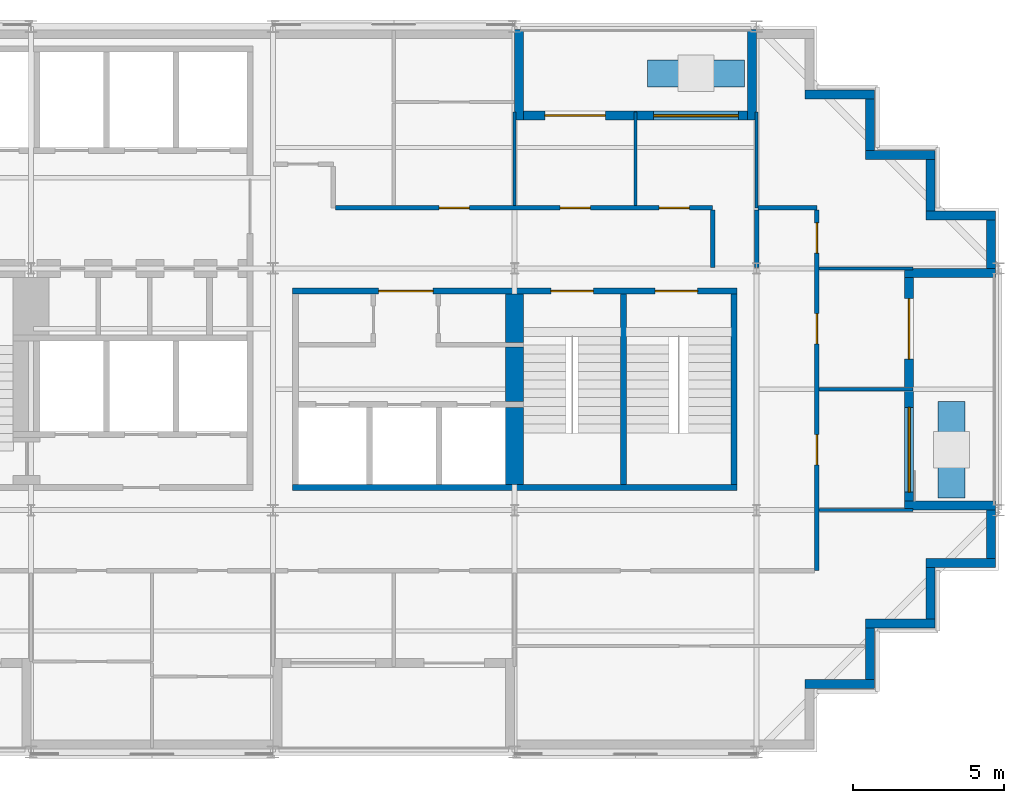
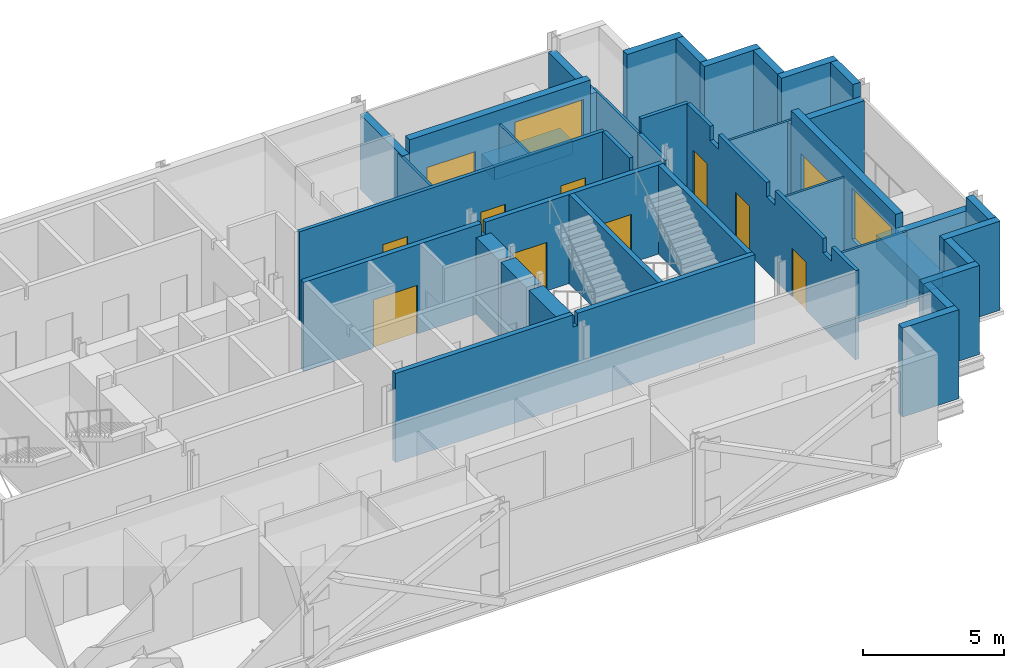
# One storey, part 7 of 10: 38 walls, 11 doors, 2 windows, 13 openings.
"""IFC4 building model written with IfcOpenShell, lengths in metres."""

from ifc_helpers import new_model, si_unit, direction, frame, frame_2d, origin, place, context, subcontext, project, spatial, polyline, rectangle, outline, extrude, material, layer, layer_set, type_object, element, fill, save


model = new_model("IFC4")

# Units and contexts
model_context = context("Model", 3, precision=1e-05, world=origin(), true_north=direction((0.0, 1.0)))
body_context = subcontext(model_context, "Body", "Model", "MODEL_VIEW")
ifc_project = project(units=[si_unit("LENGTHUNIT", "METRE"), si_unit("AREAUNIT", "SQUARE_METRE"), si_unit("VOLUMEUNIT", "CUBIC_METRE"), si_unit("PLANEANGLEUNIT", "RADIAN"), si_unit("MASSUNIT", "GRAM", prefix="KILO")], contexts=[model_context])

# Site, building, storey
site_placement = place(None, origin())
site = spatial("IfcSite", under=ifc_project, at=site_placement, CompositionType="ELEMENT")
building_placement = place(site_placement, origin())
building = spatial("IfcBuilding", under=site, at=building_placement, Name="Immortelle Media Tower", CompositionType="ELEMENT")
storey_placement = place(building_placement, frame((0.0, 0.0, 279.0)))
storey = spatial("IfcBuildingStorey", under=building, at=storey_placement, Name="L61", CompositionType="ELEMENT", Elevation=279.0)

# Wall, openings, doors
ifc_material_1 = material(Name="Fire-rated gypsum board", Category="gypsum")
ifc_layer_1 = layer(ifc_material_1, 0.012451171875)
ifc_material_2 = material(Name="Steel ASTM A653 SS Gr 50 stud frame with mineral wool", Category="steel")
ifc_layer_2 = layer(ifc_material_2, 0.125)
ifc_layer_3 = layer(ifc_material_1, 0.012451171875)
ifc_layer_set_1 = layer_set([ifc_layer_1, ifc_layer_2, ifc_layer_3], Name="Steel ASTM A653 SS Gr 50 stud frame with mineral wool")
wall_type_1 = type_object("IfcWallType", Name="Corridor wall 150", PredefinedType="PARTITIONING", material=ifc_layer_set_1)
wall_1_placement = place(storey_placement, frame((42.0, 6.0, 0.0), z_axis=(0.0, 0.0, 1.0), x_axis=(0.0, 1.0, 0.0)))
wall_1 = element("IfcWall", 1, at=wall_1_placement, inside=storey, type_object=wall_type_1, Name="Partition L61-016", PredefinedType="PARTITIONING", context=body_context, shape_type="SweptSolid", body=[
    extrude(outline(polyline([(0.0, 0.0), (11.925048828125, 0.0), (11.925048828125, 3.85009765625), (10.300048828125, 3.85009765625), (10.298095703125, 3.238037109375), (9.701904296875, 3.238037109375), (9.699951171875, 3.85009765625), (6.300048828125, 3.85009765625), (6.298095703125, 3.238037109375), (5.701904296875, 3.238037109375), (5.699951171875, 3.85009765625), (2.300048828125, 3.85009765625), (2.298095703125, 3.238037109375), (1.701904296875, 3.238037109375), (1.699951171875, 3.85009765625), (0.0, 3.85009765625), (0.0, 0.0)])), frame((0.0, 0.074951171875, 0.0), z_axis=(0.0, -1.0, 0.0), x_axis=(1.0, 0.0, 0.0)), (0.0, 0.0, 1.0), 0.14990234375),
])
opening_1_placement = place(wall_1_placement, frame((4.5, 0.0, 0.0), z_axis=(0.0, 0.0, 1.0), x_axis=(-1.0, 0.0, 0.0)))
opening_1 = element("IfcOpeningElement", 2, at=opening_1_placement, cuts=wall_1, Name="Opening X4-F014", PredefinedType="OPENING", context=body_context, shape_type="SweptSolid", body=[
    extrude(rectangle(XDim=1.0, YDim=2.10009765625, at=frame_2d((0.5, 1.050048828125))), frame((0.0, 0.0849609375, 0.0), z_axis=(0.0, -1.0, 0.0), x_axis=(1.0, 0.0, 0.0)), (0.0, 0.0, 1.0), 0.169921875),
])
opening_2_placement = place(wall_1_placement, frame((8.5, 0.0, 0.0), z_axis=(0.0, 0.0, 1.0), x_axis=(-1.0, 0.0, 0.0)))
opening_2 = element("IfcOpeningElement", 3, at=opening_2_placement, cuts=wall_1, Name="Opening X4-F015", PredefinedType="OPENING", context=body_context, shape_type="SweptSolid", body=[
    extrude(rectangle(XDim=1.0, YDim=2.10009765625, at=frame_2d((0.5, 1.050048828125))), frame((0.0, 0.0849609375, 0.0), z_axis=(0.0, -1.0, 0.0), x_axis=(1.0, 0.0, 0.0)), (0.0, 0.0, 1.0), 0.169921875),
])
opening_3_placement = place(wall_1_placement, frame((11.5, 0.0, 0.0), z_axis=(0.0, 0.0, 1.0), x_axis=(-1.0, 0.0, 0.0)))
opening_3 = element("IfcOpeningElement", 4, at=opening_3_placement, cuts=wall_1, Name="Opening X4-F017", PredefinedType="OPENING", context=body_context, shape_type="SweptSolid", body=[
    extrude(rectangle(XDim=1.0, YDim=2.10009765625, at=frame_2d((0.5, 1.050048828125))), frame((0.0, 0.0849609375, 0.0), z_axis=(0.0, -1.0, 0.0), x_axis=(1.0, 0.0, 0.0)), (0.0, 0.0, 1.0), 0.169921875),
])
ifc_material_3 = material(Name="Timber veneered door leaf, galvanised steel frame ASTM A653", Category="steel")
door_type_1 = type_object("IfcDoorType", Name="Room door 1000 x 2100", OperationType="NOTDEFINED", PredefinedType="DOOR", material=ifc_material_3)
door_1_placement = place(opening_1_placement, origin())
door_1 = element("IfcDoor", 5, at=door_1_placement, inside=storey, type_object=door_type_1, Name="Door X4-F014", OperationType="SINGLE_SWING_LEFT", OverallHeight=2.10009765625, OverallWidth=1.0, PredefinedType="DOOR", context=body_context, shape_type="SweptSolid", body=[
    extrude(rectangle(XDim=1.0, YDim=2.10009765625, at=frame_2d((0.5, 1.050048828125))), frame((0.0, 0.02490234375, 0.0), z_axis=(0.0, -1.0, 0.0), x_axis=(1.0, 0.0, 0.0)), (0.0, 0.0, 1.0), 0.050048828125),
])
fill(opening_1, door_1)
door_2_placement = place(opening_2_placement, origin())
door_2 = element("IfcDoor", 6, at=door_2_placement, inside=storey, type_object=door_type_1, Name="Door X4-F015", OperationType="SINGLE_SWING_RIGHT", OverallHeight=2.10009765625, OverallWidth=1.0, PredefinedType="DOOR", context=body_context, shape_type="SweptSolid", body=[
    extrude(rectangle(XDim=1.0, YDim=2.10009765625, at=frame_2d((0.5, 1.050048828125))), frame((0.0, 0.02490234375, 0.0), z_axis=(0.0, -1.0, 0.0), x_axis=(1.0, 0.0, 0.0)), (0.0, 0.0, 1.0), 0.050048828125),
])
fill(opening_2, door_2)
door_3_placement = place(opening_3_placement, origin())
door_3 = element("IfcDoor", 7, at=door_3_placement, inside=storey, type_object=door_type_1, Name="Door X4-F017", OperationType="SINGLE_SWING_RIGHT", OverallHeight=2.10009765625, OverallWidth=1.0, PredefinedType="DOOR", context=body_context, shape_type="SweptSolid", body=[
    extrude(rectangle(XDim=1.0, YDim=2.10009765625, at=frame_2d((0.5, 1.050048828125))), frame((0.0, 0.02490234375, 0.0), z_axis=(0.0, -1.0, 0.0), x_axis=(1.0, 0.0, 0.0)), (0.0, 0.0, 1.0), 0.050048828125),
])
fill(opening_3, door_3)

# Walls
wall_2_placement = place(storey_placement, frame((38.550048828125, 16.030029296875, 0.0), z_axis=(0.0, 0.0, 1.0), x_axis=(0.0, 1.0, 0.0)))
element("IfcWall", 8, at=wall_2_placement, inside=storey, type_object=wall_type_1, Name="Partition L61-023", PredefinedType="PARTITIONING", context=body_context, shape_type="SweptSolid", body=[
    extrude(rectangle(XDim=1.89501953125, YDim=0.14990234375, at=frame_2d((0.947509765625, 0.0))), origin(), (0.0, 0.0, 1.0), 3.85009765625),
])
wall_3_placement = place(storey_placement, frame((40.0, 16.030029296875, 0.0), z_axis=(0.0, 0.0, 1.0), x_axis=(0.0, 1.0, 0.0)))
element("IfcWall", 9, at=wall_3_placement, inside=storey, type_object=wall_type_1, Name="Partition L61-024", PredefinedType="PARTITIONING", context=body_context, shape_type="SweptSolid", body=[
    extrude(rectangle(XDim=1.89501953125, YDim=0.14990234375, at=frame_2d((0.947509765625, 0.0))), origin(), (0.0, 0.0, 1.0), 3.238037109375),
])

# Wall, openings, doors
wall_4_placement = place(storey_placement, frame((26.074951171875, 18.0, 0.0), z_axis=(0.0, 0.0, 1.0), x_axis=(1.0, 0.0, 0.0)))
wall_4 = element("IfcWall", 10, at=wall_4_placement, inside=storey, type_object=wall_type_1, Name="Partition L61-025", PredefinedType="PARTITIONING", context=body_context, shape_type="SweptSolid", body=[
    extrude(rectangle(XDim=12.47509765625, YDim=0.14990234375, at=frame_2d((6.237548828125, 0.0))), origin(), (0.0, 0.0, 1.0), 3.85009765625),
])
opening_4_placement = place(wall_4_placement, frame((7.425048828125, 0.0, 0.0)))
opening_4 = element("IfcOpeningElement", 11, at=opening_4_placement, cuts=wall_4, Name="Opening X4-F018", PredefinedType="OPENING", context=body_context, shape_type="SweptSolid", body=[
    extrude(rectangle(XDim=1.0, YDim=2.10009765625, at=frame_2d((0.5, 1.050048828125))), frame((0.0, 0.0849609375, 0.0), z_axis=(0.0, -1.0, 0.0), x_axis=(1.0, 0.0, 0.0)), (0.0, 0.0, 1.0), 0.169921875),
])
opening_5_placement = place(wall_4_placement, frame((10.699951171875, 0.0, 0.0)))
opening_5 = element("IfcOpeningElement", 12, at=opening_5_placement, cuts=wall_4, Name="Opening X4-F019", PredefinedType="OPENING", context=body_context, shape_type="SweptSolid", body=[
    extrude(rectangle(XDim=1.0, YDim=2.10009765625, at=frame_2d((0.5, 1.050048828125))), frame((0.0, 0.0849609375, 0.0), z_axis=(0.0, -1.0, 0.0), x_axis=(1.0, 0.0, 0.0)), (0.0, 0.0, 1.0), 0.169921875),
])
opening_6_placement = place(wall_4_placement, frame((3.425048828125, 0.0, 0.0)))
opening_6 = element("IfcOpeningElement", 13, at=opening_6_placement, cuts=wall_4, Name="Opening X4-F021", PredefinedType="OPENING", context=body_context, shape_type="SweptSolid", body=[
    extrude(rectangle(XDim=1.0, YDim=2.10009765625, at=frame_2d((0.5, 1.050048828125))), frame((0.0, 0.0849609375, 0.0), z_axis=(0.0, -1.0, 0.0), x_axis=(1.0, 0.0, 0.0)), (0.0, 0.0, 1.0), 0.169921875),
])
door_4_placement = place(opening_4_placement, origin())
door_4 = element("IfcDoor", 14, at=door_4_placement, inside=storey, type_object=door_type_1, Name="Door X4-F018", OperationType="SINGLE_SWING_LEFT", OverallHeight=2.10009765625, OverallWidth=1.0, PredefinedType="DOOR", context=body_context, shape_type="SweptSolid", body=[
    extrude(rectangle(XDim=1.0, YDim=2.10009765625, at=frame_2d((0.5, 1.050048828125))), frame((0.0, 0.02490234375, 0.0), z_axis=(0.0, -1.0, 0.0), x_axis=(1.0, 0.0, 0.0)), (0.0, 0.0, 1.0), 0.050048828125),
])
fill(opening_4, door_4)
door_5_placement = place(opening_5_placement, origin())
door_5 = element("IfcDoor", 15, at=door_5_placement, inside=storey, type_object=door_type_1, Name="Door X4-F019", OperationType="SINGLE_SWING_LEFT", OverallHeight=2.10009765625, OverallWidth=1.0, PredefinedType="DOOR", context=body_context, shape_type="SweptSolid", body=[
    extrude(rectangle(XDim=1.0, YDim=2.10009765625, at=frame_2d((0.5, 1.050048828125))), frame((0.0, 0.02490234375, 0.0), z_axis=(0.0, -1.0, 0.0), x_axis=(1.0, 0.0, 0.0)), (0.0, 0.0, 1.0), 0.050048828125),
])
fill(opening_5, door_5)
door_6_placement = place(opening_6_placement, origin())
door_6 = element("IfcDoor", 16, at=door_6_placement, inside=storey, type_object=door_type_1, Name="Door X4-F021", OperationType="SINGLE_SWING_RIGHT", OverallHeight=2.10009765625, OverallWidth=1.0, PredefinedType="DOOR", context=body_context, shape_type="SweptSolid", body=[
    extrude(rectangle(XDim=1.0, YDim=2.10009765625, at=frame_2d((0.5, 1.050048828125))), frame((0.0, 0.02490234375, 0.0), z_axis=(0.0, -1.0, 0.0), x_axis=(1.0, 0.0, 0.0)), (0.0, 0.0, 1.0), 0.050048828125),
])
fill(opening_6, door_6)

# Walls
wall_5_placement = place(storey_placement, frame((40.050048828125, 18.0, 0.0), z_axis=(0.0, 0.0, 1.0), x_axis=(1.0, 0.0, 0.0)))
element("IfcWall", 17, at=wall_5_placement, inside=storey, type_object=wall_type_1, Name="Partition L61-030", PredefinedType="PARTITIONING", context=body_context, shape_type="SweptSolid", body=[
    extrude(rectangle(XDim=1.949951171875, YDim=0.14990234375, at=frame_2d((0.97509765625, 0.0))), origin(), (0.0, 0.0, 1.0), 3.85009765625),
])
ifc_material_4 = material(Name="Pale aluminium cladding panel", Category="aluminium")
ifc_layer_4 = layer(ifc_material_4, 0.030029296875)
ifc_layer_5 = layer(ifc_material_2, 0.257568359375)
ifc_material_5 = material(Name="Moisture-resistant gypsum board", Category="gypsum")
ifc_layer_6 = layer(ifc_material_5, 0.012451171875)
ifc_layer_set_2 = layer_set([ifc_layer_4, ifc_layer_5, ifc_layer_6], Name="Steel ASTM A653 SS Gr 50 stud frame with mineral wool")
wall_type_2 = type_object("IfcWallType", Name="Facade wall 300", PredefinedType="SOLIDWALL", material=ifc_layer_set_2)
wall_6_placement = place(storey_placement, frame((41.60009765625, 2.25, 0.0), z_axis=(0.0, 0.0, 1.0), x_axis=(1.0, 0.0, 0.0)))
element("IfcWall", 18, at=wall_6_placement, inside=storey, type_object=wall_type_2, Name="Facade wall L61 S8", PredefinedType="SOLIDWALL", context=body_context, shape_type="SweptSolid", body=[
    extrude(rectangle(XDim=2.2998046875, YDim=0.300048828125, at=frame_2d((1.14990234375, 0.0))), origin(), (0.0, 0.0, 1.0), 3.85009765625),
])
wall_7_placement = place(storey_placement, frame((43.75, 2.39990234375, 0.0), z_axis=(0.0, 0.0, 1.0), x_axis=(0.0, 1.0, 0.0)))
element("IfcWall", 19, at=wall_7_placement, inside=storey, type_object=wall_type_2, Name="Facade wall L61 E9", PredefinedType="SOLIDWALL", context=body_context, shape_type="SweptSolid", body=[
    extrude(rectangle(XDim=1.7001953125, YDim=0.300048828125, at=frame_2d((0.85009765625, 0.0))), origin(), (0.0, 0.0, 1.0), 3.85009765625),
])
wall_8_placement = place(storey_placement, frame((43.60009765625, 4.25, 0.0), z_axis=(0.0, 0.0, 1.0), x_axis=(1.0, 0.0, 0.0)))
element("IfcWall", 20, at=wall_8_placement, inside=storey, type_object=wall_type_2, Name="Facade wall L61 S10", PredefinedType="SOLIDWALL", context=body_context, shape_type="SweptSolid", body=[
    extrude(rectangle(XDim=2.2998046875, YDim=0.300048828125, at=frame_2d((1.14990234375, 0.0))), origin(), (0.0, 0.0, 1.0), 3.85009765625),
])
wall_9_placement = place(storey_placement, frame((45.75, 4.39990234375, 0.0), z_axis=(0.0, 0.0, 1.0), x_axis=(0.0, 1.0, 0.0)))
element("IfcWall", 21, at=wall_9_placement, inside=storey, type_object=wall_type_2, Name="Facade wall L61 E11", PredefinedType="SOLIDWALL", context=body_context, shape_type="SweptSolid", body=[
    extrude(rectangle(XDim=1.7001953125, YDim=0.300048828125, at=frame_2d((0.85009765625, 0.0))), origin(), (0.0, 0.0, 1.0), 3.85009765625),
])
wall_10_placement = place(storey_placement, frame((45.60009765625, 6.25, 0.0), z_axis=(0.0, 0.0, 1.0), x_axis=(1.0, 0.0, 0.0)))
element("IfcWall", 22, at=wall_10_placement, inside=storey, type_object=wall_type_2, Name="Facade wall L61 S12", PredefinedType="SOLIDWALL", context=body_context, shape_type="SweptSolid", body=[
    extrude(rectangle(XDim=2.2998046875, YDim=0.300048828125, at=frame_2d((1.14990234375, 0.0))), origin(), (0.0, 0.0, 1.0), 3.85009765625),
])
wall_11_placement = place(storey_placement, frame((47.75, 6.39990234375, 0.0), z_axis=(0.0, 0.0, 1.0), x_axis=(0.0, 1.0, 0.0)))
element("IfcWall", 23, at=wall_11_placement, inside=storey, type_object=wall_type_2, Name="Facade wall L61 E13", PredefinedType="SOLIDWALL", context=body_context, shape_type="SweptSolid", body=[
    extrude(rectangle(XDim=1.60009765625, YDim=0.300048828125, at=frame_2d((0.800048828125, 0.0))), origin(), (0.0, 0.0, 1.0), 3.85009765625),
])

# Wall, openings, door, window
wall_12_placement = place(storey_placement, frame((45.050048828125, 8.300048828125, 0.0), z_axis=(0.0, 0.0, 1.0), x_axis=(0.0, 1.0, 0.0)))
wall_12 = element("IfcWall", 24, at=wall_12_placement, inside=storey, type_object=wall_type_2, Name="Loggia wall L61 E13", PredefinedType="SOLIDWALL", context=body_context, shape_type="SweptSolid", body=[
    extrude(rectangle(XDim=7.39990234375, YDim=0.300048828125, at=frame_2d((3.699951171875, 0.0))), origin(), (0.0, 0.0, 1.0), 3.85009765625),
])
opening_7_placement = place(wall_12_placement, frame((0.300048828125, 0.0, 0.89990234375)))
opening_7 = element("IfcOpeningElement", 25, at=opening_7_placement, cuts=wall_12, Name="Opening W1", PredefinedType="OPENING", context=body_context, shape_type="SweptSolid", body=[
    extrude(rectangle(XDim=2.800048828125, YDim=2.199951171875, at=frame_2d((1.39990234375, 1.10009765625))), frame((0.0, 0.159912109375, 0.0), z_axis=(0.0, -1.0, 0.0), x_axis=(1.0, 0.0, 0.0)), (0.0, 0.0, 1.0), 0.320068359375),
])
opening_8_placement = place(wall_12_placement, frame((4.699951171875, 0.0, 0.0)))
opening_8 = element("IfcOpeningElement", 26, at=opening_8_placement, cuts=wall_12, Name="Opening X4-E003", PredefinedType="OPENING", context=body_context, shape_type="SweptSolid", body=[
    extrude(rectangle(XDim=2.0, YDim=2.39990234375, at=frame_2d((1.0, 1.199951171875))), frame((0.0, 0.159912109375, 0.0), z_axis=(0.0, -1.0, 0.0), x_axis=(1.0, 0.0, 0.0)), (0.0, 0.0, 1.0), 0.320068359375),
])
ifc_material_6 = material(Name="Aluminium frame, glazed leaves", Category="aluminium")
door_type_2 = type_object("IfcDoorType", Name="Loggia door 2000 x 2400", OperationType="DOUBLE_DOOR_SINGLE_SWING", PredefinedType="DOOR", material=ifc_material_6)
door_7_placement = place(opening_8_placement, origin())
door_7 = element("IfcDoor", 27, at=door_7_placement, inside=storey, type_object=door_type_2, Name="Door X4-E003", OperationType="DOUBLE_DOOR_SINGLE_SWING", OverallHeight=2.39990234375, OverallWidth=2.0, PredefinedType="DOOR", context=body_context, shape_type="SweptSolid", body=[
    extrude(rectangle(XDim=2.0, YDim=2.39990234375, at=frame_2d((1.0, 1.199951171875))), frame((0.0, 0.02490234375, 0.0), z_axis=(0.0, -1.0, 0.0), x_axis=(1.0, 0.0, 0.0)), (0.0, 0.0, 1.0), 0.050048828125),
])
fill(opening_8, door_7)
ifc_material_7 = material(Name="Aluminium frame", Category="aluminium")
window_type = type_object("IfcWindowType", Name="Window 2800 x 2200", PartitioningType="SINGLE_PANEL", PredefinedType="WINDOW", material=ifc_material_7)
window_1_placement = place(opening_7_placement, origin())
window_1 = element("IfcWindow", 28, at=window_1_placement, inside=storey, type_object=window_type, Name="Window L61 L61-R13-B0", OverallHeight=2.199951171875, OverallWidth=2.800048828125, PartitioningType="SINGLE_PANEL", PredefinedType="WINDOW", context=body_context, shape_type="SweptSolid", body=[
    extrude(rectangle(XDim=2.800048828125, YDim=2.199951171875, at=frame_2d((1.39990234375, 1.10009765625))), frame((0.0, 0.030029296875, 0.0), z_axis=(0.0, -1.0, 0.0), x_axis=(1.0, 0.0, 0.0)), (0.0, 0.0, 1.0), 0.06005859375),
])
fill(opening_7, window_1)

# Walls
for number, where, z_axis, x_axis, name in (
    (29, (47.89990234375, 8.14990234375, 0.0), (0.0, 0.0, 1.0), (-1.0, 0.0, 0.0), "Loggia cheek wall L61 E"),
    (30, (47.89990234375, 15.85009765625, 0.0), (0.0, 0.0, 1.0), (-1.0, 0.0, 0.0), "Loggia cheek wall L61 E"),
):
    element("IfcWall", number, at=place(storey_placement, frame(where, z_axis=z_axis, x_axis=x_axis)), inside=storey, type_object=wall_type_2, Name=name, PredefinedType="SOLIDWALL", context=body_context, shape_type="SweptSolid", body=[
        extrude(rectangle(XDim=3.0, YDim=0.300048828125, at=frame_2d((1.5, 0.0))), origin(), (0.0, 0.0, 1.0), 3.237060546875),
    ])
wall_13_placement = place(storey_placement, frame((47.75, 16.0, 0.0), z_axis=(0.0, 0.0, 1.0), x_axis=(0.0, 1.0, 0.0)))
element("IfcWall", 31, at=wall_13_placement, inside=storey, type_object=wall_type_2, Name="Facade wall L61 E13", PredefinedType="SOLIDWALL", context=body_context, shape_type="SweptSolid", body=[
    extrude(rectangle(XDim=1.60009765625, YDim=0.300048828125, at=frame_2d((0.800048828125, 0.0))), origin(), (0.0, 0.0, 1.0), 3.85009765625),
])
wall_14_placement = place(storey_placement, frame((47.89990234375, 17.75, 0.0), z_axis=(0.0, 0.0, 1.0), x_axis=(-1.0, 0.0, 0.0)))
element("IfcWall", 32, at=wall_14_placement, inside=storey, type_object=wall_type_2, Name="Facade wall L61 N14", PredefinedType="SOLIDWALL", context=body_context, shape_type="SweptSolid", body=[
    extrude(rectangle(XDim=2.2998046875, YDim=0.300048828125, at=frame_2d((1.14990234375, 0.0))), origin(), (0.0, 0.0, 1.0), 3.85009765625),
])
wall_15_placement = place(storey_placement, frame((45.75, 17.89990234375, 0.0), z_axis=(0.0, 0.0, 1.0), x_axis=(0.0, 1.0, 0.0)))
element("IfcWall", 33, at=wall_15_placement, inside=storey, type_object=wall_type_2, Name="Facade wall L61 E15", PredefinedType="SOLIDWALL", context=body_context, shape_type="SweptSolid", body=[
    extrude(rectangle(XDim=1.7001953125, YDim=0.300048828125, at=frame_2d((0.85009765625, 0.0))), origin(), (0.0, 0.0, 1.0), 3.85009765625),
])
wall_16_placement = place(storey_placement, frame((45.89990234375, 19.75, 0.0), z_axis=(0.0, 0.0, 1.0), x_axis=(-1.0, 0.0, 0.0)))
element("IfcWall", 34, at=wall_16_placement, inside=storey, type_object=wall_type_2, Name="Facade wall L61 N16", PredefinedType="SOLIDWALL", context=body_context, shape_type="SweptSolid", body=[
    extrude(rectangle(XDim=2.2998046875, YDim=0.300048828125, at=frame_2d((1.14990234375, 0.0))), origin(), (0.0, 0.0, 1.0), 3.85009765625),
])
wall_17_placement = place(storey_placement, frame((43.75, 19.89990234375, 0.0), z_axis=(0.0, 0.0, 1.0), x_axis=(0.0, 1.0, 0.0)))
element("IfcWall", 35, at=wall_17_placement, inside=storey, type_object=wall_type_2, Name="Facade wall L61 E17", PredefinedType="SOLIDWALL", context=body_context, shape_type="SweptSolid", body=[
    extrude(rectangle(XDim=1.7001953125, YDim=0.300048828125, at=frame_2d((0.85009765625, 0.0))), origin(), (0.0, 0.0, 1.0), 3.85009765625),
])
wall_18_placement = place(storey_placement, frame((43.89990234375, 21.75, 0.0), z_axis=(0.0, 0.0, 1.0), x_axis=(-1.0, 0.0, 0.0)))
element("IfcWall", 36, at=wall_18_placement, inside=storey, type_object=wall_type_2, Name="Facade wall L61 N18", PredefinedType="SOLIDWALL", context=body_context, shape_type="SweptSolid", body=[
    extrude(rectangle(XDim=2.2998046875, YDim=0.300048828125, at=frame_2d((1.14990234375, 0.0))), origin(), (0.0, 0.0, 1.0), 3.85009765625),
])

# Wall, openings, door, window
wall_19_placement = place(storey_placement, frame((39.699951171875, 21.050048828125, 0.0), z_axis=(0.0, 0.0, 1.0), x_axis=(-1.0, 0.0, 0.0)))
wall_19 = element("IfcWall", 37, at=wall_19_placement, inside=storey, type_object=wall_type_2, Name="Loggia wall L61 N20", PredefinedType="SOLIDWALL", context=body_context, shape_type="SweptSolid", body=[
    extrude(rectangle(XDim=7.39990234375, YDim=0.300048828125, at=frame_2d((3.699951171875, 0.0))), origin(), (0.0, 0.0, 1.0), 3.85009765625),
])
opening_9_placement = place(wall_19_placement, frame((0.300048828125, 0.0, 0.89990234375)))
opening_9 = element("IfcOpeningElement", 38, at=opening_9_placement, cuts=wall_19, Name="Opening W1", PredefinedType="OPENING", context=body_context, shape_type="SweptSolid", body=[
    extrude(rectangle(XDim=2.800048828125, YDim=2.199951171875, at=frame_2d((1.39990234375, 1.10009765625))), frame((0.0, 0.159912109375, 0.0), z_axis=(0.0, -1.0, 0.0), x_axis=(1.0, 0.0, 0.0)), (0.0, 0.0, 1.0), 0.320068359375),
])
opening_10_placement = place(wall_19_placement, frame((4.699951171875, 0.0, 0.0)))
opening_10 = element("IfcOpeningElement", 39, at=opening_10_placement, cuts=wall_19, Name="Opening X4-E004", PredefinedType="OPENING", context=body_context, shape_type="SweptSolid", body=[
    extrude(rectangle(XDim=2.0, YDim=2.39990234375, at=frame_2d((1.0, 1.199951171875))), frame((0.0, 0.159912109375, 0.0), z_axis=(0.0, -1.0, 0.0), x_axis=(1.0, 0.0, 0.0)), (0.0, 0.0, 1.0), 0.320068359375),
])
door_8_placement = place(opening_10_placement, origin())
door_8 = element("IfcDoor", 40, at=door_8_placement, inside=storey, type_object=door_type_2, Name="Door X4-E004", OperationType="DOUBLE_DOOR_SINGLE_SWING", OverallHeight=2.39990234375, OverallWidth=2.0, PredefinedType="DOOR", context=body_context, shape_type="SweptSolid", body=[
    extrude(rectangle(XDim=2.0, YDim=2.39990234375, at=frame_2d((1.0, 1.199951171875))), frame((0.0, 0.02490234375, 0.0), z_axis=(0.0, -1.0, 0.0), x_axis=(1.0, 0.0, 0.0)), (0.0, 0.0, 1.0), 0.050048828125),
])
fill(opening_10, door_8)
window_2_placement = place(opening_9_placement, origin())
window_2 = element("IfcWindow", 41, at=window_2_placement, inside=storey, type_object=window_type, Name="Window L61 L61-R20-B0", OverallHeight=2.199951171875, OverallWidth=2.800048828125, PartitioningType="SINGLE_PANEL", PredefinedType="WINDOW", context=body_context, shape_type="SweptSolid", body=[
    extrude(rectangle(XDim=2.800048828125, YDim=2.199951171875, at=frame_2d((1.39990234375, 1.10009765625))), frame((0.0, 0.030029296875, 0.0), z_axis=(0.0, -1.0, 0.0), x_axis=(1.0, 0.0, 0.0)), (0.0, 0.0, 1.0), 0.06005859375),
])
fill(opening_9, window_2)

# Walls
wall_20_placement = place(storey_placement, frame((39.85009765625, 23.89990234375, 0.0), z_axis=(0.0, 0.0, 1.0), x_axis=(0.0, -1.0, 0.0)))
element("IfcWall", 42, at=wall_20_placement, inside=storey, type_object=wall_type_2, Name="Loggia cheek wall L61 N", PredefinedType="SOLIDWALL", context=body_context, shape_type="SweptSolid", body=[
    extrude(rectangle(XDim=3.0, YDim=0.300048828125, at=frame_2d((1.5, 0.0))), origin(), (0.0, 0.0, 1.0), 3.237060546875),
])
wall_21_placement = place(storey_placement, frame((32.14990234375, 23.89990234375, 0.0), z_axis=(0.0, 0.0, 1.0), x_axis=(0.0, -1.0, 0.0)))
element("IfcWall", 43, at=wall_21_placement, inside=storey, type_object=wall_type_2, Name="Loggia cheek wall L61 N", PredefinedType="SOLIDWALL", context=body_context, shape_type="SweptSolid", body=[
    extrude(rectangle(XDim=3.0, YDim=0.300048828125, at=frame_2d((1.5, 0.0))), origin(), (0.0, 0.0, 1.0), 3.2470703125),
])
ifc_material_8 = material(Name="Gypsum board", Category="gypsum")
ifc_layer_7 = layer(ifc_material_8, 0.012451171875)
ifc_layer_8 = layer(ifc_material_2, 0.074951171875)
ifc_layer_9 = layer(ifc_material_8, 0.012451171875)
ifc_layer_set_3 = layer_set([ifc_layer_7, ifc_layer_8, ifc_layer_9], Name="Steel ASTM A653 SS Gr 50 stud frame with mineral wool")
wall_type_3 = type_object("IfcWallType", Name="Partition 100", PredefinedType="PARTITIONING", material=ifc_layer_set_3)
for number, where, z_axis, x_axis, name in (
    (44, (42.074951171875, 8.0, 0.0), (0.0, 0.0, 1.0), (1.0, 0.0, 0.0), "Partition L61-018"),
    (45, (42.074951171875, 12.0, 0.0), (0.0, 0.0, 1.0), (1.0, 0.0, 0.0), "Partition L61-020"),
    (46, (42.074951171875, 16.0, 0.0), (0.0, 0.0, 1.0), (1.0, 0.0, 0.0), "Partition L61-022"),
    (47, (32.0, 18.074951171875, 0.0), (0.0, 0.0, 1.0), (0.0, 1.0, 0.0), "Partition L61-028"),
    (48, (36.0, 18.074951171875, 0.0), (0.0, 0.0, 1.0), (0.0, 1.0, 0.0), "Partition L61-029"),
):
    element("IfcWall", number, at=place(storey_placement, frame(where, z_axis=z_axis, x_axis=x_axis)), inside=storey, type_object=wall_type_3, Name=name, PredefinedType="PARTITIONING", context=body_context, shape_type="SweptSolid", body=[
        extrude(rectangle(XDim=3.094970703125, YDim=0.10009765625, at=frame_2d((1.54736328125, 0.0))), origin(), (0.0, 0.0, 1.0), 3.238037109375),
    ])
wall_22_placement = place(storey_placement, frame((40.0, 18.0, 0.0), z_axis=(0.0, 0.0, 1.0), x_axis=(0.0, 1.0, 0.0)))
element("IfcWall", 49, at=wall_22_placement, inside=storey, type_object=wall_type_3, Name="Partition L61-031", PredefinedType="PARTITIONING", context=body_context, shape_type="SweptSolid", body=[
    extrude(rectangle(XDim=3.169921875, YDim=0.10009765625, at=frame_2d((1.5849609375, 0.0))), origin(), (0.0, 0.0, 1.0), 3.238037109375),
])
ifc_layer_10 = layer(ifc_material_4, 0.0029296875)
ifc_material_9 = material(Name="Steel ASTM A572 Gr 50 planter shell", Category="steel")
ifc_layer_11 = layer(ifc_material_9, 0.011962890625)
ifc_material_10 = material(Name="Planting substrate", Category="soil")
ifc_layer_12 = layer(ifc_material_10, 0.873046875)
ifc_layer_13 = layer(ifc_material_9, 0.011962890625)
ifc_layer_set_4 = layer_set([ifc_layer_10, ifc_layer_11, ifc_layer_12, ifc_layer_13], Name="Steel ASTM A572 Gr 50 planter shell")
wall_type_4 = type_object("IfcWallType", Name="Planter wall 900", PredefinedType="SOLIDWALL", material=ifc_layer_set_4)
for number, where, z_axis, x_axis, name in (
    (50, (46.449951171875, 8.39990234375, 0.0), (0.0, 0.0, 1.0), (0.0, 1.0, 0.0), "Planter L61 E0"),
    (51, (39.60009765625, 22.449951171875, 0.0), (0.0, 0.0, 1.0), (-1.0, 0.0, 0.0), "Planter L61 N0"),
):
    element("IfcWall", number, at=place(storey_placement, frame(where, z_axis=z_axis, x_axis=x_axis)), inside=storey, type_object=wall_type_4, Name=name, PredefinedType="SOLIDWALL", context=body_context, shape_type="SweptSolid", body=[
        extrude(rectangle(XDim=3.2001953125, YDim=0.89990234375, at=frame_2d((1.60009765625, 0.0))), origin(), (0.0, 0.0, 1.0), 0.60009765625),
    ])
ifc_material_11 = material(Name="Concrete C60", Category="concrete")
ifc_layer_14 = layer(ifc_material_11, 0.199951171875)
ifc_layer_set_5 = layer_set([ifc_layer_14], Name="Concrete C60")
wall_type_5 = type_object("IfcWallType", Name="Stair shaft wall 200", PredefinedType="PARTITIONING", material=ifc_layer_set_5)
wall_23_placement = place(storey_placement, frame((24.64990234375, 8.75, 0.0), z_axis=(0.0, 0.0, 1.0), x_axis=(1.0, 0.0, 0.0)))
element("IfcWall", 52, at=wall_23_placement, inside=storey, type_object=wall_type_5, Name="Stair shaft wall SE", PredefinedType="PARTITIONING", context=body_context, shape_type="SweptSolid", body=[
    extrude(outline(polyline([(0.0, 0.0), (14.7001953125, 0.0), (14.699951171875, 3.85009765625), (7.4375, 3.85009765625), (7.4365234375, 3.318115234375), (7.263427734375, 3.318115234375), (7.262451171875, 3.85009765625), (0.0, 3.85009765625), (0.0, 0.0)])), frame((0.0, 0.10009765625, 0.0), z_axis=(0.0, -1.0, 0.0), x_axis=(1.0, 0.0, 0.0)), (0.0, 0.0, 1.0), 0.199951171875),
])

# Wall, openings, doors
wall_24_placement = place(storey_placement, frame((24.64990234375, 15.25, 0.0), z_axis=(0.0, 0.0, 1.0), x_axis=(1.0, 0.0, 0.0)))
wall_24 = element("IfcWall", 53, at=wall_24_placement, inside=storey, type_object=wall_type_5, Name="Stair shaft wall SE", PredefinedType="PARTITIONING", context=body_context, shape_type="SweptSolid", body=[
    extrude(outline(polyline([(0.0, 0.0), (14.7001953125, 0.0), (14.699951171875, 3.85009765625), (7.4375, 3.85009765625), (7.4365234375, 3.318115234375), (7.263427734375, 3.318115234375), (7.262451171875, 3.85009765625), (0.0, 3.85009765625), (0.0, 0.0)])), frame((0.0, 0.10009765625, 0.0), z_axis=(0.0, -1.0, 0.0), x_axis=(1.0, 0.0, 0.0)), (0.0, 0.0, 1.0), 0.199951171875),
])
opening_11_placement = place(wall_24_placement, frame((2.85009765625, 0.0, 0.0)))
opening_11 = element("IfcOpeningElement", 54, at=opening_11_placement, cuts=wall_24, Name="Opening X4-K022", PredefinedType="OPENING", context=body_context, shape_type="SweptSolid", body=[
    extrude(rectangle(XDim=1.800048828125, YDim=2.10009765625, at=frame_2d((0.89990234375, 1.050048828125))), frame((0.0, 0.10986328125, 0.0), z_axis=(0.0, -1.0, 0.0), x_axis=(1.0, 0.0, 0.0)), (0.0, 0.0, 1.0), 0.219970703125),
])
opening_12_placement = place(wall_24_placement, frame((9.949951171875, 0.0, 0.0), z_axis=(0.0, 0.0, 1.0), x_axis=(-1.0, 0.0, 0.0)))
opening_12 = element("IfcOpeningElement", 55, at=opening_12_placement, cuts=wall_24, Name="Opening X4-K025", PredefinedType="OPENING", context=body_context, shape_type="SweptSolid", body=[
    extrude(rectangle(XDim=1.39990234375, YDim=2.10009765625, at=frame_2d((0.699951171875, 1.050048828125))), frame((0.0, 0.10986328125, 0.0), z_axis=(0.0, -1.0, 0.0), x_axis=(1.0, 0.0, 0.0)), (0.0, 0.0, 1.0), 0.219970703125),
])
opening_13_placement = place(wall_24_placement, frame((13.39990234375, 0.0, 0.0), z_axis=(0.0, 0.0, 1.0), x_axis=(-1.0, 0.0, 0.0)))
opening_13 = element("IfcOpeningElement", 56, at=opening_13_placement, cuts=wall_24, Name="Opening X4-K026", PredefinedType="OPENING", context=body_context, shape_type="SweptSolid", body=[
    extrude(rectangle(XDim=1.39990234375, YDim=2.10009765625, at=frame_2d((0.699951171875, 1.050048828125))), frame((0.0, 0.10986328125, 0.0), z_axis=(0.0, -1.0, 0.0), x_axis=(1.0, 0.0, 0.0)), (0.0, 0.0, 1.0), 0.219970703125),
])
ifc_material_12 = material(Name="Galvanised steel door leaf and frame ASTM A653", Category="steel")
door_type_3 = type_object("IfcDoorType", Name="Lift lobby door 1800 x 2100", OperationType="DOUBLE_DOOR_SINGLE_SWING", PredefinedType="NOTDEFINED", material=ifc_material_12)
door_9_placement = place(opening_11_placement, origin())
door_9 = element("IfcDoor", 57, at=door_9_placement, inside=storey, type_object=door_type_3, Name="Lift lobby X4-K022", OperationType="DOUBLE_DOOR_SINGLE_SWING", OverallHeight=2.10009765625, OverallWidth=1.800048828125, PredefinedType="NOTDEFINED", context=body_context, shape_type="SweptSolid", body=[
    extrude(rectangle(XDim=1.800048828125, YDim=2.10009765625, at=frame_2d((0.89990234375, 1.050048828125))), frame((0.0, 0.02490234375, 0.0), z_axis=(0.0, -1.0, 0.0), x_axis=(1.0, 0.0, 0.0)), (0.0, 0.0, 1.0), 0.050048828125),
])
fill(opening_11, door_9)
door_type_4 = type_object("IfcDoorType", Name="Stair door 1400 x 2100", OperationType="DOUBLE_DOOR_SINGLE_SWING", PredefinedType="NOTDEFINED", material=ifc_material_12)
door_10_placement = place(opening_12_placement, origin())
door_10 = element("IfcDoor", 58, at=door_10_placement, inside=storey, type_object=door_type_4, Name="Stair X4-K025", OperationType="DOUBLE_DOOR_SINGLE_SWING", OverallHeight=2.10009765625, OverallWidth=1.39990234375, PredefinedType="NOTDEFINED", context=body_context, shape_type="SweptSolid", body=[
    extrude(rectangle(XDim=1.39990234375, YDim=2.10009765625, at=frame_2d((0.699951171875, 1.050048828125))), frame((0.0, 0.02490234375, 0.0), z_axis=(0.0, -1.0, 0.0), x_axis=(1.0, 0.0, 0.0)), (0.0, 0.0, 1.0), 0.050048828125),
])
fill(opening_12, door_10)
door_11_placement = place(opening_13_placement, origin())
door_11 = element("IfcDoor", 59, at=door_11_placement, inside=storey, type_object=door_type_4, Name="Stair X4-K026", OperationType="DOUBLE_DOOR_SINGLE_SWING", OverallHeight=2.10009765625, OverallWidth=1.39990234375, PredefinedType="NOTDEFINED", context=body_context, shape_type="SweptSolid", body=[
    extrude(rectangle(XDim=1.39990234375, YDim=2.10009765625, at=frame_2d((0.699951171875, 1.050048828125))), frame((0.0, 0.02490234375, 0.0), z_axis=(0.0, -1.0, 0.0), x_axis=(1.0, 0.0, 0.0)), (0.0, 0.0, 1.0), 0.050048828125),
])
fill(opening_13, door_11)

# Walls
for number, where, z_axis, x_axis, name in (
    (60, (35.60009765625, 8.85009765625, 0.0), (0.0, 0.0, 1.0), (0.0, 1.0, 0.0), "Stair shaft wall SE"),
    (61, (39.25, 8.85009765625, 0.0), (0.0, 0.0, 1.0), (0.0, 1.0, 0.0), "Stair shaft wall SE"),
):
    element("IfcWall", number, at=place(storey_placement, frame(where, z_axis=z_axis, x_axis=x_axis)), inside=storey, type_object=wall_type_5, Name=name, PredefinedType="PARTITIONING", context=body_context, shape_type="SweptSolid", body=[
        extrude(rectangle(XDim=6.2998046875, YDim=0.199951171875, at=frame_2d((3.14990234375, 0.0))), origin(), (0.0, 0.0, 1.0), 3.85009765625),
    ])
ifc_layer_15 = layer(ifc_material_11, 0.60009765625)
ifc_layer_set_6 = layer_set([ifc_layer_15], Name="Concrete C60")
wall_type_6 = type_object("IfcWallType", Name="Stair shaft wall 600", PredefinedType="PARTITIONING", material=ifc_layer_set_6)
wall_25_placement = place(storey_placement, frame((32.0, 8.85009765625, 0.0), z_axis=(0.0, 0.0, 1.0), x_axis=(0.0, 1.0, 0.0)))
element("IfcWall", 62, at=wall_25_placement, inside=storey, type_object=wall_type_6, Name="Stair shaft wall SE", PredefinedType="PARTITIONING", context=body_context, shape_type="SweptSolid", body=[
    extrude(rectangle(XDim=2.5498046875, YDim=0.60009765625, at=frame_2d((1.27490234375, 0.0))), origin(), (0.0, 0.0, 1.0), 3.318115234375),
])
wall_26_placement = place(storey_placement, frame((32.0, 11.60009765625, 0.0), z_axis=(0.0, 0.0, 1.0), x_axis=(0.0, 1.0, 0.0)))
element("IfcWall", 63, at=wall_26_placement, inside=storey, type_object=wall_type_6, Name="Stair shaft wall SE", PredefinedType="PARTITIONING", context=body_context, shape_type="SweptSolid", body=[
    extrude(rectangle(XDim=1.7998046875, YDim=0.60009765625, at=frame_2d((0.89990234375, 0.0))), origin(), (0.0, 0.0, 1.0), 3.318115234375),
])
wall_27_placement = place(storey_placement, frame((32.0, 13.550048828125, 0.0), z_axis=(0.0, 0.0, 1.0), x_axis=(0.0, 1.0, 0.0)))
element("IfcWall", 64, at=wall_27_placement, inside=storey, type_object=wall_type_6, Name="Stair shaft wall SE", PredefinedType="PARTITIONING", context=body_context, shape_type="SweptSolid", body=[
    extrude(rectangle(XDim=1.599853515625, YDim=0.60009765625, at=frame_2d((0.7998046875, 0.0))), origin(), (0.0, 0.0, 1.0), 3.318115234375),
])

save(model, "model.ifc")
